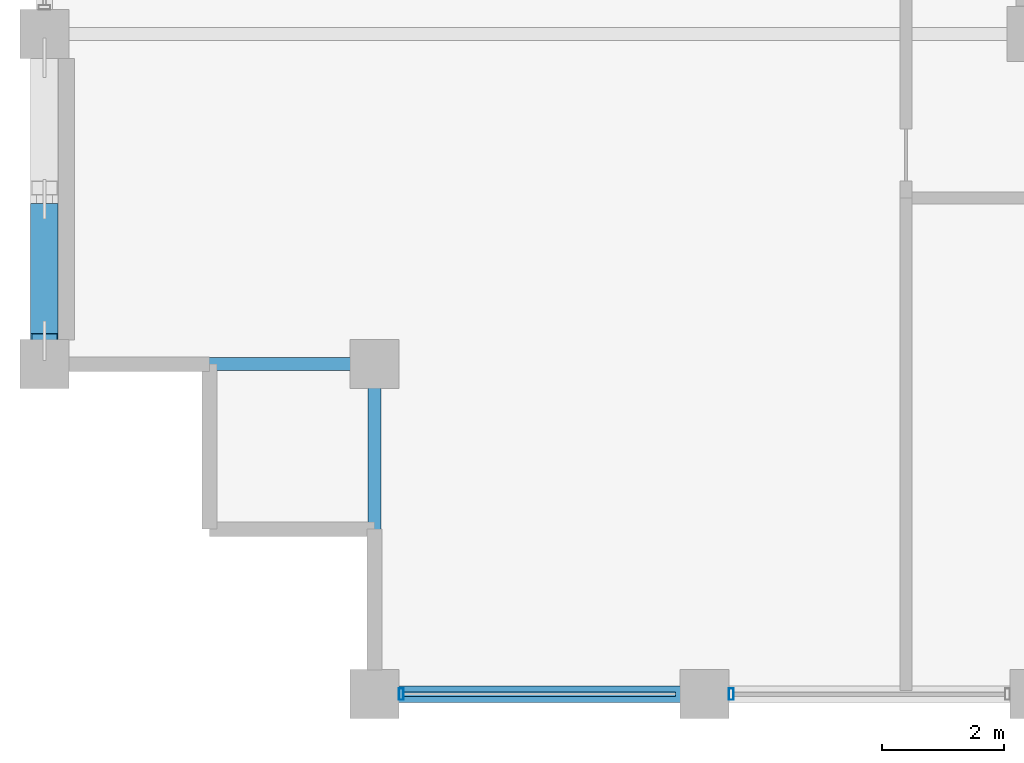
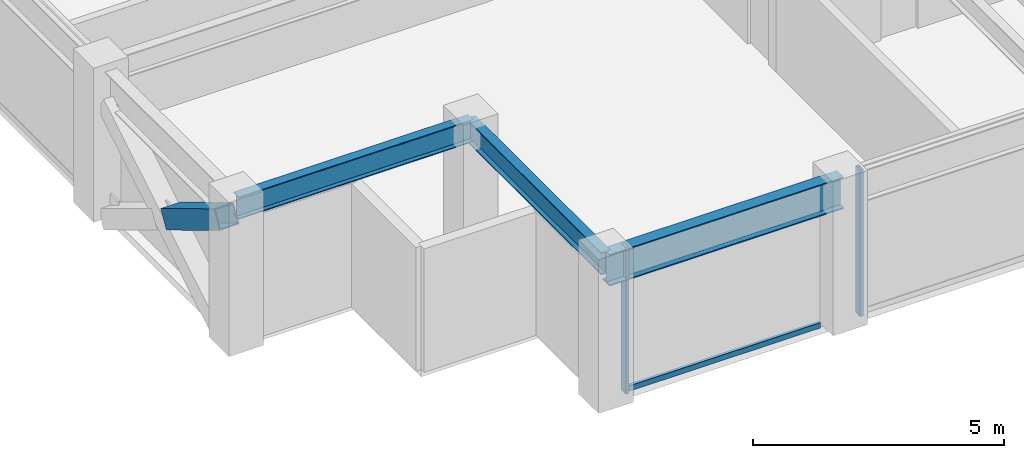
# One storey, part 2 of 32: 4 members, 3 beams, 1 element without a shape of its own.
"""IFC4 building model written with IfcOpenShell, lengths in metres."""

from ifc_helpers import new_model, si_unit, direction, frame, origin, origin_2d, place, context, subcontext, project, spatial, hollow_rectangle, i_section, extrude, material, layer, layer_set, material_profile, profile_set, type_object, element, aggregate, save


model = new_model("IFC4")

# Units and contexts
model_context = context("Model", 3, precision=1e-05, world=origin(), true_north=direction((0.0, 1.0)))
body_context = subcontext(model_context, "Body", "Model", "MODEL_VIEW")
ifc_project = project(units=[si_unit("LENGTHUNIT", "METRE"), si_unit("AREAUNIT", "SQUARE_METRE"), si_unit("VOLUMEUNIT", "CUBIC_METRE"), si_unit("PLANEANGLEUNIT", "RADIAN"), si_unit("MASSUNIT", "GRAM", prefix="KILO")], contexts=[model_context])

# Site, building, storey
site_placement = place(None, origin())
site = spatial("IfcSite", under=ifc_project, at=site_placement, CompositionType="ELEMENT")
building_placement = place(site_placement, origin())
building = spatial("IfcBuilding", under=site, at=building_placement, Name="Surkhivell Harbour Commons", CompositionType="ELEMENT")
storey_placement = place(building_placement, frame((0.0, 0.0, 223.5)))
storey = spatial("IfcBuildingStorey", under=building, at=storey_placement, Name="L58", CompositionType="ELEMENT", Elevation=223.5)

# Beams
ifc_material_1 = material(Name="Steel S355", Category="steel")
ifc_material_profile_1 = material_profile(ifc_material_1, i_section(OverallWidth=0.2119140625, OverallDepth=0.5439453125, WebThickness=0.0126953125, FlangeThickness=0.021240234375, at=origin_2d()), Name="UB533x210x122")
ifc_profile_set_1 = profile_set([ifc_material_profile_1], Name="Steel S355")
beam_type_1 = type_object("IfcBeamType", Name="BM-GRD-533A", PredefinedType="BEAM", material=ifc_profile_set_1)
beam_1_placement = place(storey_placement, frame((-27.0, -16.199951171875, 3.298095703125), z_axis=(1.0, 0.0, 0.0), x_axis=(0.0, 1.0, 0.0)))
element("IfcBeam", 1, at=beam_1_placement, inside=storey, type_object=beam_type_1, Name="L58 Floor Girder (-27.0,-16.2)", PredefinedType="BEAM", context=body_context, shape_type="SweptSolid", body=[
    extrude(i_section(OverallWidth=0.2119140625, OverallDepth=0.5439453125, WebThickness=0.0126953125, FlangeThickness=0.021240234375, at=origin_2d()), origin(), (0.0, 0.0, 1.0), 5.39990234375),
])
beam_2_placement = place(storey_placement, frame((-21.60009765625, -21.60009765625, 3.298095703125), z_axis=(0.0, 1.0, 0.0), x_axis=(-1.0, 0.0, 0.0)))
element("IfcBeam", 2, at=beam_2_placement, inside=storey, type_object=beam_type_1, Name="L58 Floor Girder (-21.6,-21.6)", PredefinedType="BEAM", context=body_context, shape_type="SweptSolid", body=[
    extrude(i_section(OverallWidth=0.2119140625, OverallDepth=0.5439453125, WebThickness=0.0126953125, FlangeThickness=0.021240234375, at=origin_2d()), origin(), (0.0, 0.0, 1.0), 5.400146484375),
])
ifc_material_profile_2 = material_profile(ifc_material_1, i_section(OverallWidth=0.26806640625, OverallDepth=0.77001953125, WebThickness=0.015625, FlangeThickness=0.025390625, at=origin_2d()), Name="UB762x267x197")
ifc_profile_set_2 = profile_set([ifc_material_profile_2], Name="Steel S355")
beam_type_2 = type_object("IfcBeamType", Name="BM-SPN-762", PredefinedType="SPANDREL", material=ifc_profile_set_2)
beam_3_placement = place(storey_placement, frame((-21.60009765625, -21.60009765625, 3.18505859375), z_axis=(1.0, 0.0, 0.0), x_axis=(0.0, 1.0, 0.0)))
element("IfcBeam", 3, at=beam_3_placement, inside=storey, type_object=beam_type_2, Name="L58 Tube Spandrel (-21.6,-21.6)", PredefinedType="SPANDREL", context=body_context, shape_type="SweptSolid", body=[
    extrude(i_section(OverallWidth=0.26806640625, OverallDepth=0.77001953125, WebThickness=0.015625, FlangeThickness=0.025390625, at=origin_2d()), origin(), (0.0, 0.0, 1.0), 5.400146484375),
])

# Curtain wall, members
ifc_material_2 = material(Name="Anodised pale-metal aluminium and insulated glazing", Category="aluminium")
ifc_layer = layer(ifc_material_2, 0.18994140625)
ifc_layer_set = layer_set([ifc_layer], Name="Anodised pale-metal aluminium and insulated glazing")
curtain_wall_type = type_object("IfcCurtainWallType", Name="CW-SYS-Z3", PredefinedType="NOTDEFINED", material=ifc_layer_set)
curtain_wall_placement = place(storey_placement, origin())
curtain_wall = element("IfcCurtainWall", 4, at=curtain_wall_placement, inside=storey, type_object=curtain_wall_type, Name="L58 Curtain Wall CW-L58-E00S1", PredefinedType="NOTDEFINED")
ifc_material_3 = material(Name="Anodised pale-metal aluminium alloy 6063-T6", Category="aluminium")
ifc_material_profile_3 = material_profile(ifc_material_3, hollow_rectangle(XDim=0.074951171875, YDim=0.18994140625, WallThickness=0.00390625, at=origin_2d()), Name="ALU-MULL-75x190")
ifc_profile_set_3 = profile_set([ifc_material_profile_3], Name="Anodised pale-metal aluminium alloy 6063-T6")
member_type_1 = type_object("IfcMemberType", Name="CWM-190", PredefinedType="MULLION", material=ifc_profile_set_3)
member_1_placement = place(storey_placement, frame((-21.160400390625, -21.60009765625, 0.0), z_axis=(0.0, 0.0, 1.0), x_axis=(1.0, 0.0, 0.0)))
member_1 = element("IfcMember", 5, at=member_1_placement, type_object=member_type_1, Name="CW-Z3 mullion 1", PredefinedType="MULLION", context=body_context, shape_type="SweptSolid", body=[
    extrude(hollow_rectangle(XDim=0.074951171875, YDim=0.18994140625, WallThickness=0.00390625, at=origin_2d()), origin(), (0.0, 0.0, 1.0), 3.570068359375),
])
member_2_placement = place(storey_placement, frame((-15.760498046875, -21.60009765625, 0.0), z_axis=(0.0, 0.0, 1.0), x_axis=(1.0, 0.0, 0.0)))
member_2 = element("IfcMember", 6, at=member_2_placement, type_object=member_type_1, Name="CW-Z3 mullion 2", PredefinedType="MULLION", context=body_context, shape_type="SweptSolid", body=[
    extrude(hollow_rectangle(XDim=0.074951171875, YDim=0.18994140625, WallThickness=0.00390625, at=origin_2d()), origin(), (0.0, 0.0, 1.0), 3.570068359375),
])
ifc_material_4 = material(Name="Champagne anodised aluminium alloy 6063-T6", Category="aluminium")
ifc_material_profile_4 = material_profile(ifc_material_4, hollow_rectangle(XDim=0.070068359375, YDim=0.1298828125, WallThickness=0.00341796875, at=origin_2d()), Name="ALU-TRAN-70x130")
ifc_profile_set_4 = profile_set([ifc_material_profile_4], Name="Champagne anodised aluminium alloy 6063-T6")
member_type_2 = type_object("IfcMemberType", Name="CWT-130", PredefinedType="USERDEFINED", material=ifc_profile_set_4)
member_3_placement = place(storey_placement, frame((-21.123046875, -21.60009765625, 0.06494140625), z_axis=(1.0, 0.0, 0.0), x_axis=(0.0, 1.0, 0.0)))
member_3 = element("IfcMember", 7, at=member_3_placement, type_object=member_type_2, Name="CW-Z3 transom 1.1", ObjectType="TRANSOM", PredefinedType="USERDEFINED", context=body_context, shape_type="SweptSolid", body=[
    extrude(hollow_rectangle(XDim=0.070068359375, YDim=0.1298828125, WallThickness=0.00341796875, at=origin_2d()), origin(), (0.0, 0.0, 1.0), 4.446044921875),
])
aggregate(curtain_wall, [member_1, member_3, member_2])

# Member
ifc_material_5 = material(Name="Steel S460", Category="steel")
ifc_material_profile_5 = material_profile(ifc_material_5, hollow_rectangle(XDim=0.449951171875, YDim=0.449951171875, WallThickness=0.02197265625, at=origin_2d()), Name="SHS450x450x22")
ifc_profile_set_5 = profile_set([ifc_material_profile_5], Name="Steel S460")
member_type_3 = type_object("IfcMemberType", Name="MEM-BRC-SHS450", PredefinedType="BRACE", material=ifc_profile_set_5)
member_4_placement = place(storey_placement, frame((-27.0, -13.684814453125, 1.517578125), z_axis=(0.0, -0.856017753989, 0.516946423584), x_axis=(1.0, 0.0, 0.0)))
element("IfcMember", 8, at=member_4_placement, inside=storey, type_object=member_type_3, Name="L58 Perimeter Mega-Brace MB- 12", PredefinedType="BRACE", context=body_context, shape_type="SweptSolid", body=[
    extrude(hollow_rectangle(XDim=0.449951171875, YDim=0.449951171875, WallThickness=0.02197265625, at=origin_2d()), origin(), (0.0, 0.0, 1.0), 2.488525390625),
])

save(model, "model.ifc")
